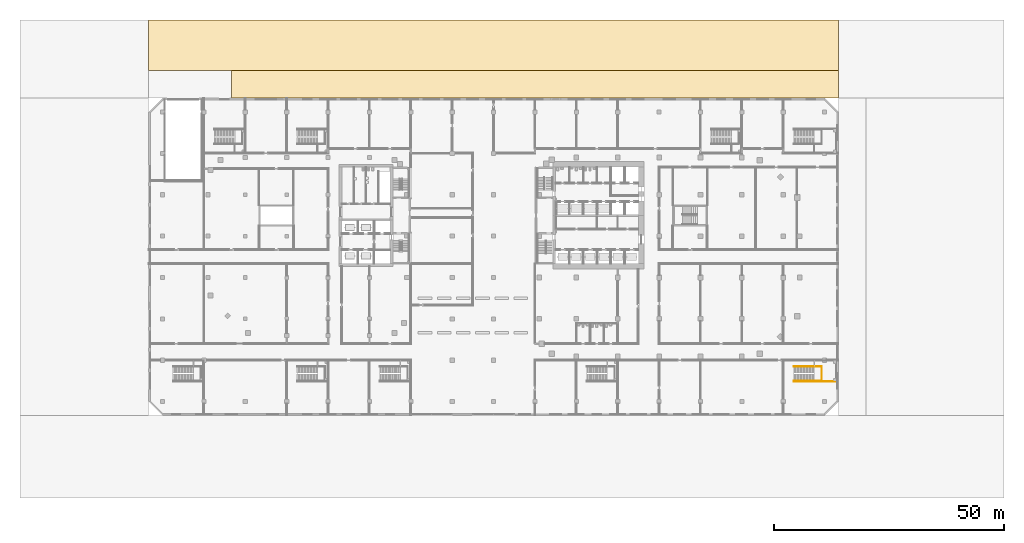
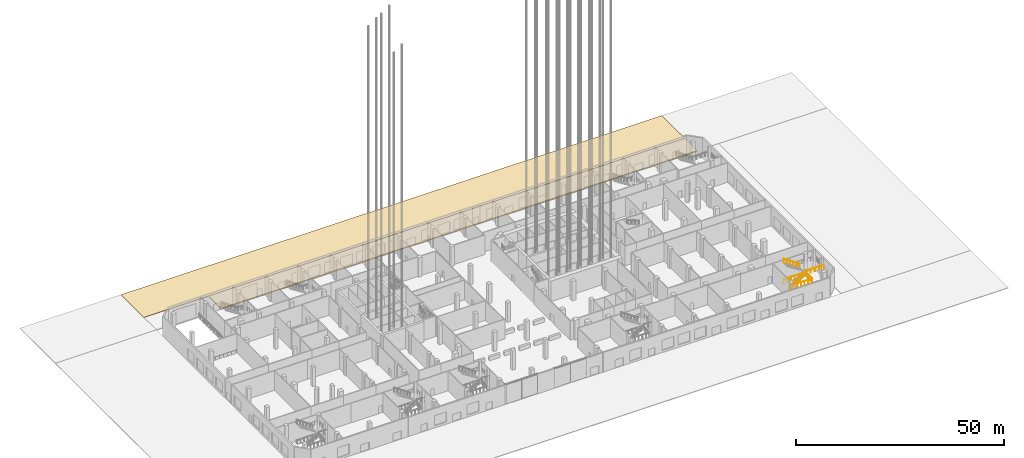
# One storey, part 51 of 55: 4 railings, 2 coverings.
"""IFC4 building model written with IfcOpenShell, lengths in metres."""

from ifc_helpers import new_model, si_unit, direction, frame, origin, origin_2d, place, context, subcontext, project, spatial, polyline, circle, outline, extrude, material, layer, layer_set, type_object, element, save


model = new_model("IFC4")

# Units and contexts
model_context = context("Model", 3, precision=1e-05, world=origin(), true_north=direction((0.0, 1.0)))
body_context = subcontext(model_context, "Body", "Model", "MODEL_VIEW")
ifc_project = project(units=[si_unit("LENGTHUNIT", "METRE"), si_unit("AREAUNIT", "SQUARE_METRE"), si_unit("VOLUMEUNIT", "CUBIC_METRE"), si_unit("PLANEANGLEUNIT", "RADIAN"), si_unit("MASSUNIT", "GRAM", prefix="KILO")], contexts=[model_context])

# Site, building, storey
site_placement = place(None, origin())
site = spatial("IfcSite", under=ifc_project, at=site_placement, CompositionType="ELEMENT")
building_placement = place(site_placement, origin())
building = spatial("IfcBuilding", under=site, at=building_placement, Name="Cinnabar Reach Civic Tower", CompositionType="ELEMENT")
storey_placement = place(building_placement, origin())
storey = spatial("IfcBuildingStorey", under=building, at=storey_placement, Name="L00", CompositionType="ELEMENT", Elevation=0.0)

# Covering
ifc_material_1 = material(Name="Granite paving on sand and cement bedding", Category="masonry")
ifc_layer_1 = layer(ifc_material_1, 0.2)
ifc_layer_set_1 = layer_set([ifc_layer_1], Name="Podium granite paving 200")
covering_type_1 = type_object("IfcCoveringType", Name="Podium granite paving 200", PredefinedType="USERDEFINED", material=ifc_layer_set_1)
covering_1_placement = place(storey_placement, frame((0.0, 0.0, -0.2)))
element("IfcCovering", 1, at=covering_1_placement, inside=storey, type_object=covering_type_1, Name="Forecourt paving", ObjectType="PAVING", PredefinedType="USERDEFINED", context=body_context, shape_type="SweptSolid", body=[
    extrude(outline(polyline([(66.0, 63.0), (66.0, 74.0), (-84.0, 74.0), (-84.0, 63.0), (66.0, 63.0)])), origin(), (0.0, 0.0, 1.0), 0.2),
])

# Railings
ifc_material_2 = material(Name="Stainless steel and glass", Category="steel")
railing_type_1 = type_object("IfcRailingType", Name="Podium guard 1100", PredefinedType="GUARDRAIL", material=ifc_material_2)
railing_1_placement = place(storey_placement, frame((60.72, -1.35, 3.0)))
element("IfcRailing", 2, at=railing_1_placement, inside=storey, type_object=railing_type_1, Name="Stair guard PS4 L00", PredefinedType="GUARDRAIL", context=body_context, shape_type="SweptSolid", body=[
    extrude(circle(Radius=0.024, at=origin_2d()), frame((0.0, 0.0, 1.076), z_axis=(-0.827413642594, 0.0, 0.561592970086), x_axis=(0.0, -1.0, 0.0)), (0.0, 0.0, 1.0), 5.3419),
    extrude(circle(Radius=0.021, at=origin_2d()), origin(), (0.0, 0.0, 1.0), 1.052),
    extrude(circle(Radius=0.021, at=origin_2d()), frame((-0.884, 0.0, 0.6)), (0.0, 0.0, 1.0), 1.052),
    extrude(circle(Radius=0.021, at=origin_2d()), frame((-1.768, 0.0, 1.2)), (0.0, 0.0, 1.0), 1.052),
    extrude(circle(Radius=0.021, at=origin_2d()), frame((-2.652, 0.0, 1.8)), (0.0, 0.0, 1.0), 1.052),
    extrude(circle(Radius=0.021, at=origin_2d()), frame((-3.536, 0.0, 2.4)), (0.0, 0.0, 1.0), 1.052),
    extrude(circle(Radius=0.021, at=origin_2d()), frame((-4.42, 0.0, 3.0)), (0.0, 0.0, 1.0), 1.052),
])
railing_2_placement = place(storey_placement, frame((56.3, -4.6, 0.0)))
element("IfcRailing", 3, at=railing_2_placement, inside=storey, type_object=railing_type_1, Name="Stair wall side guard PS4 L00", PredefinedType="GUARDRAIL", context=body_context, shape_type="SweptSolid", body=[
    extrude(circle(Radius=0.024, at=origin_2d()), frame((0.0, 0.0, 1.076), z_axis=(0.827413642594, 0.0, 0.561592970086), x_axis=(0.0, 1.0, 0.0)), (0.0, 0.0, 1.0), 5.3419),
    extrude(circle(Radius=0.024, at=origin_2d()), frame((4.42, 0.0, 4.076), z_axis=(1.0, 0.0, 0.0), x_axis=(0.0, 1.0, 0.0)), (0.0, 0.0, 1.0), 4.78),
    extrude(circle(Radius=0.021, at=origin_2d()), origin(), (0.0, 0.0, 1.0), 1.052),
    extrude(circle(Radius=0.021, at=origin_2d()), frame((0.884, 0.0, 0.6)), (0.0, 0.0, 1.0), 1.052),
    extrude(circle(Radius=0.021, at=origin_2d()), frame((1.768, 0.0, 1.2)), (0.0, 0.0, 1.0), 1.052),
    extrude(circle(Radius=0.021, at=origin_2d()), frame((2.652, 0.0, 1.8)), (0.0, 0.0, 1.0), 1.052),
    extrude(circle(Radius=0.021, at=origin_2d()), frame((3.536, 0.0, 2.4)), (0.0, 0.0, 1.0), 1.052),
    extrude(circle(Radius=0.021, at=origin_2d()), frame((4.42, 0.0, 3.0)), (0.0, 0.0, 1.0), 1.052),
    extrude(circle(Radius=0.021, at=origin_2d()), frame((5.615, 0.0, 3.0)), (0.0, 0.0, 1.0), 1.052),
    extrude(circle(Radius=0.021, at=origin_2d()), frame((6.81, 0.0, 3.0)), (0.0, 0.0, 1.0), 1.052),
    extrude(circle(Radius=0.021, at=origin_2d()), frame((8.005, 0.0, 3.0)), (0.0, 0.0, 1.0), 1.052),
    extrude(circle(Radius=0.021, at=origin_2d()), frame((9.2, 0.0, 3.0)), (0.0, 0.0, 1.0), 1.052),
])
railing_3_placement = place(storey_placement, frame((56.3, -4.45, 0.0)))
element("IfcRailing", 4, at=railing_3_placement, inside=storey, type_object=railing_type_1, Name="Stair well guard PS4 L00", PredefinedType="GUARDRAIL", context=body_context, shape_type="SweptSolid", body=[
    extrude(circle(Radius=0.024, at=origin_2d()), frame((0.0, 0.0, 1.076), z_axis=(1.0, 0.0, 0.0), x_axis=(0.0, 1.0, 0.0)), (0.0, 0.0, 1.0), 6.05),
    extrude(circle(Radius=0.024, at=origin_2d()), frame((6.05, 0.0, 1.076), z_axis=(0.0, 1.0, 0.0), x_axis=(-1.0, 0.0, 0.0)), (0.0, 0.0, 1.0), 3.1),
    extrude(circle(Radius=0.024, at=origin_2d()), frame((6.05, 3.1, 1.076), z_axis=(-1.0, 0.0, 0.0), x_axis=(0.0, -1.0, 0.0)), (0.0, 0.0, 1.0), 6.05),
    extrude(circle(Radius=0.021, at=origin_2d()), origin(), (0.0, 0.0, 1.0), 1.052),
    extrude(circle(Radius=0.021, at=origin_2d()), frame((1.0083, 0.0, 0.0)), (0.0, 0.0, 1.0), 1.052),
    extrude(circle(Radius=0.021, at=origin_2d()), frame((2.0167, 0.0, 0.0)), (0.0, 0.0, 1.0), 1.052),
    extrude(circle(Radius=0.021, at=origin_2d()), frame((3.025, 0.0, 0.0)), (0.0, 0.0, 1.0), 1.052),
    extrude(circle(Radius=0.021, at=origin_2d()), frame((4.0333, 0.0, 0.0)), (0.0, 0.0, 1.0), 1.052),
    extrude(circle(Radius=0.021, at=origin_2d()), frame((5.0417, 0.0, 0.0)), (0.0, 0.0, 1.0), 1.052),
    extrude(circle(Radius=0.021, at=origin_2d()), frame((6.05, 0.0, 0.0)), (0.0, 0.0, 1.0), 1.052),
    extrude(circle(Radius=0.021, at=origin_2d()), frame((6.05, 1.0333, 0.0)), (0.0, 0.0, 1.0), 1.052),
    extrude(circle(Radius=0.021, at=origin_2d()), frame((6.05, 2.0667, 0.0)), (0.0, 0.0, 1.0), 1.052),
    extrude(circle(Radius=0.021, at=origin_2d()), frame((6.05, 3.1, 0.0)), (0.0, 0.0, 1.0), 1.052),
    extrude(circle(Radius=0.021, at=origin_2d()), frame((5.0417, 3.1, 0.0)), (0.0, 0.0, 1.0), 1.052),
    extrude(circle(Radius=0.021, at=origin_2d()), frame((4.0333, 3.1, 0.0)), (0.0, 0.0, 1.0), 1.052),
    extrude(circle(Radius=0.021, at=origin_2d()), frame((3.025, 3.1, 0.0)), (0.0, 0.0, 1.0), 1.052),
    extrude(circle(Radius=0.021, at=origin_2d()), frame((2.0167, 3.1, 0.0)), (0.0, 0.0, 1.0), 1.052),
    extrude(circle(Radius=0.021, at=origin_2d()), frame((1.0083, 3.1, 0.0)), (0.0, 0.0, 1.0), 1.052),
    extrude(circle(Radius=0.021, at=origin_2d()), frame((0.0, 3.1, 0.0)), (0.0, 0.0, 1.0), 1.052),
])

# Covering
ifc_material_3 = material(Name="Reinforced concrete C35/45 paving", Category="concrete")
ifc_layer_2 = layer(ifc_material_3, 0.3)
ifc_layer_set_2 = layer_set([ifc_layer_2], Name="Podium heavy duty concrete paving 300")
covering_type_2 = type_object("IfcCoveringType", Name="Podium heavy duty concrete paving 300", PredefinedType="USERDEFINED", material=ifc_layer_set_2)
covering_2_placement = place(storey_placement, frame((0.0, 0.0, -0.3)))
element("IfcCovering", 5, at=covering_2_placement, inside=storey, type_object=covering_type_2, Name="Fire appliance lane north", ObjectType="PAVING", PredefinedType="USERDEFINED", context=body_context, shape_type="SweptSolid", body=[
    extrude(outline(polyline([(66.0, 57.0), (66.0, 63.0), (-66.0, 63.0), (-66.0, 57.0), (66.0, 57.0)])), origin(), (0.0, 0.0, 1.0), 0.3),
])

# Railing
ifc_material_4 = material(Name="Stainless steel", Category="steel")
railing_type_2 = type_object("IfcRailingType", Name="Podium stair handrail 900", PredefinedType="HANDRAIL", material=ifc_material_4)
railing_4_placement = place(storey_placement, frame((56.3, -4.45, 0.0)))
element("IfcRailing", 6, at=railing_4_placement, inside=storey, type_object=railing_type_2, Name="Stair handrail PS4 L00", PredefinedType="HANDRAIL", context=body_context, shape_type="SweptSolid", body=[
    extrude(circle(Radius=0.024, at=origin_2d()), frame((0.0, 0.0, 0.876), z_axis=(0.827413642594, 0.0, 0.561592970086), x_axis=(0.0, 1.0, 0.0)), (0.0, 0.0, 1.0), 5.3419),
    extrude(circle(Radius=0.021, at=origin_2d()), origin(), (0.0, 0.0, 1.0), 0.852),
    extrude(circle(Radius=0.021, at=origin_2d()), frame((0.884, 0.0, 0.6)), (0.0, 0.0, 1.0), 0.852),
    extrude(circle(Radius=0.021, at=origin_2d()), frame((1.768, 0.0, 1.2)), (0.0, 0.0, 1.0), 0.852),
    extrude(circle(Radius=0.021, at=origin_2d()), frame((2.652, 0.0, 1.8)), (0.0, 0.0, 1.0), 0.852),
    extrude(circle(Radius=0.021, at=origin_2d()), frame((3.536, 0.0, 2.4)), (0.0, 0.0, 1.0), 0.852),
    extrude(circle(Radius=0.021, at=origin_2d()), frame((4.42, 0.0, 3.0)), (0.0, 0.0, 1.0), 0.852),
])

save(model, "model.ifc")
